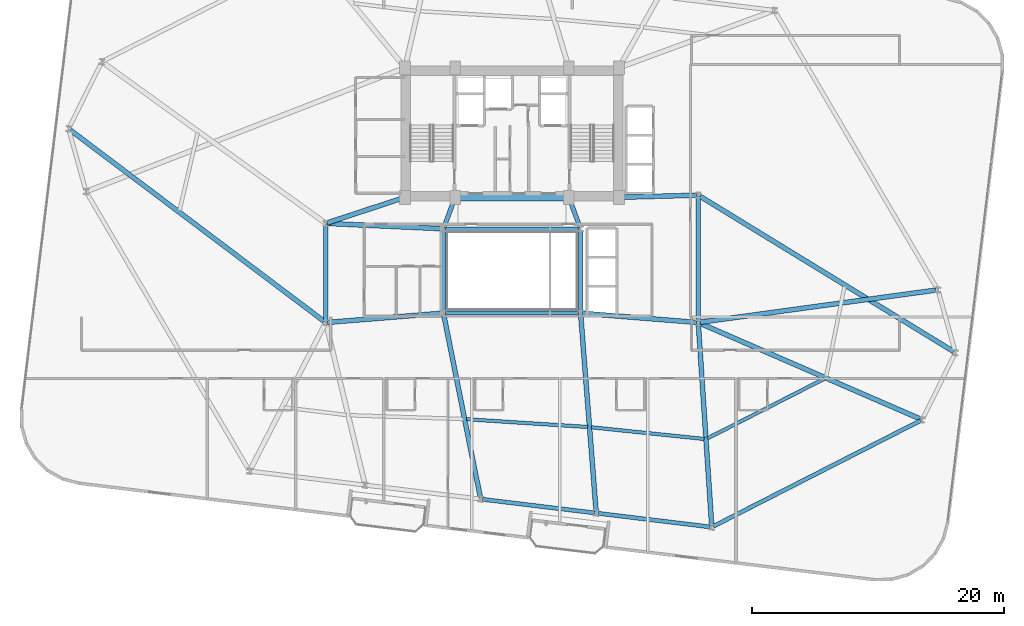
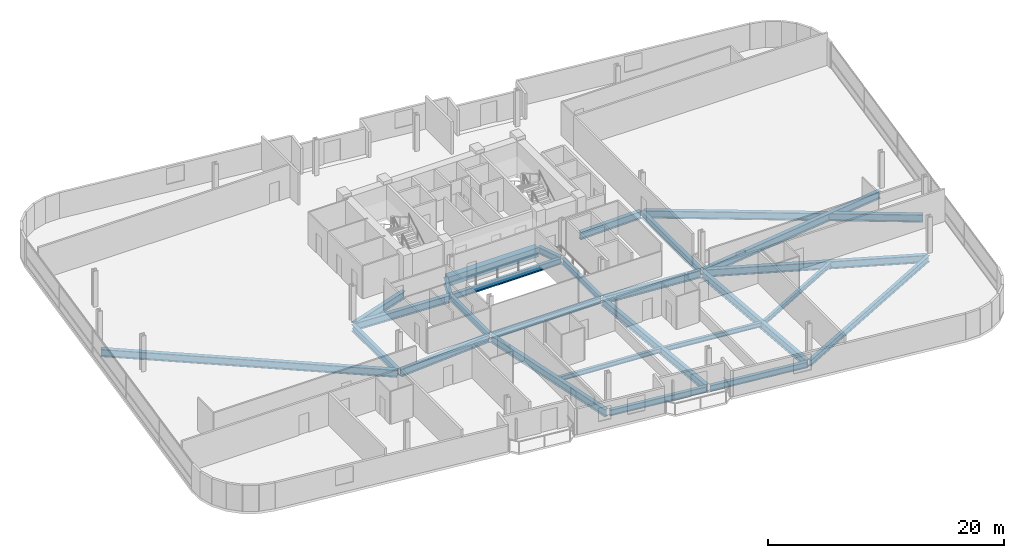
# One storey, part 7 of 26: 27 beams.
"""IFC4 building model written with IfcOpenShell, lengths in metres."""

from ifc_helpers import new_model, si_unit, direction, frame, origin, origin_2d, place, context, subcontext, project, spatial, rectangle, i_section, extrude, material, material_profile, profile_set, type_object, element, save


model = new_model("IFC4")

# Units and contexts
model_context = context("Model", 3, precision=1e-05, world=origin(), true_north=direction((0.0, 1.0)))
body_context = subcontext(model_context, "Body", "Model", "MODEL_VIEW")
ifc_project = project(units=[si_unit("LENGTHUNIT", "METRE"), si_unit("AREAUNIT", "SQUARE_METRE"), si_unit("VOLUMEUNIT", "CUBIC_METRE"), si_unit("PLANEANGLEUNIT", "RADIAN"), si_unit("MASSUNIT", "GRAM", prefix="KILO")], contexts=[model_context])

# Site, building, storey
site_placement = place(None, origin())
site = spatial("IfcSite", under=ifc_project, at=site_placement, CompositionType="ELEMENT")
building_placement = place(site_placement, origin())
building = spatial("IfcBuilding", under=site, at=building_placement, Name="Varnelok Gate Tower", CompositionType="ELEMENT")
storey_placement = place(building_placement, frame((0.0, 0.0, 158.699951171875)))
storey = spatial("IfcBuildingStorey", under=building, at=storey_placement, Name="L40", CompositionType="ELEMENT", Elevation=158.699951171875)

# Beams
ifc_material_1 = material(Name="Structural Steel ASTM A992 Grade 50", Category="steel")
ifc_material_profile_1 = material_profile(ifc_material_1, i_section(OverallWidth=0.280029296875, OverallDepth=0.462890625, WebThickness=0.0107421875, FlangeThickness=0.017333984375, FilletRadius=0.014892578125, at=origin_2d()), Name="W18X76")
ifc_profile_set_1 = profile_set([ifc_material_profile_1], Name="Structural Steel ASTM A992 Grade 50")
beam_type_1 = type_object("IfcBeamType", Name="BM-JST-W18X76", PredefinedType="JOIST", material=ifc_profile_set_1)
beam_1_placement = place(storey_placement, frame((35.57763671875, 11.11669921875, -0.4814453125), z_axis=(0.997960769005, -0.063830271251, 0.0), x_axis=(0.063830271251, 0.997960769005, 0.0)))
element("IfcBeam", 1, at=beam_1_placement, inside=storey, type_object=beam_type_1, Name="L40 Sector Floor Joist 3", PredefinedType="JOIST", context=body_context, shape_type="SweptSolid", body=[
    extrude(i_section(OverallWidth=0.280029296875, OverallDepth=0.462890625, WebThickness=0.0107421875, FlangeThickness=0.017333984375, FilletRadius=0.014892578125, at=origin_2d()), origin(), (0.0, 0.0, 1.0), 9.66162109375),
])
beam_2_placement = place(storey_placement, frame((45.498291015625, 10.4765625, -0.4814453125), z_axis=(0.994695898883, -0.102859461135, 0.0), x_axis=(0.102859461135, 0.994695898883, 0.0)))
element("IfcBeam", 2, at=beam_2_placement, inside=storey, type_object=beam_type_1, Name="L40 Sector Floor Joist 4", PredefinedType="JOIST", context=body_context, shape_type="SweptSolid", body=[
    extrude(i_section(OverallWidth=0.280029296875, OverallDepth=0.462890625, WebThickness=0.0107421875, FlangeThickness=0.017333984375, FilletRadius=0.014892578125, at=origin_2d()), origin(), (0.0, 0.0, 1.0), 9.024169921875),
])
beam_3_placement = place(storey_placement, frame((54.738525390625, 9.59765625, -0.4814453125), z_axis=(0.890722173208, 0.454548138435, 0.0), x_axis=(-0.454548138435, 0.890722173208, 0.0)))
element("IfcBeam", 3, at=beam_3_placement, inside=storey, type_object=beam_type_1, Name="L40 Sector Floor Joist 5", PredefinedType="JOIST", context=body_context, shape_type="SweptSolid", body=[
    extrude(i_section(OverallWidth=0.280029296875, OverallDepth=0.462890625, WebThickness=0.0107421875, FlangeThickness=0.017333984375, FilletRadius=0.014892578125, at=origin_2d()), origin(), (0.0, 0.0, 1.0), 10.417236328125),
])
ifc_material_2 = material(Name="Concrete C60/75", Category="concrete")
ifc_material_profile_2 = material_profile(ifc_material_2, rectangle(XDim=0.60009765625, YDim=0.949951171875, at=origin_2d()), Name="RC950X600")
ifc_profile_set_2 = profile_set([ifc_material_profile_2], Name="Concrete C60/75")
beam_type_2 = type_object("IfcBeamType", Name="BM-LNT-RC950", PredefinedType="LINTEL", material=ifc_profile_set_2)
beam_4_placement = place(storey_placement, frame((34.800048828125, 28.75, -0.724853515625), z_axis=(1.0, 0.0, 0.0), x_axis=(0.0, 1.0, 0.0)))
element("IfcBeam", 4, at=beam_4_placement, inside=storey, type_object=beam_type_2, Name="L40 Core-Atrium Spine Beam 7", PredefinedType="LINTEL", context=body_context, shape_type="SweptSolid", body=[
    extrude(rectangle(XDim=0.60009765625, YDim=0.949951171875, at=origin_2d()), origin(), (0.0, 0.0, 1.0), 8.800048828125),
])
ifc_material_profile_3 = material_profile(ifc_material_1, i_section(OverallWidth=0.35498046875, OverallDepth=0.696044921875, WebThickness=0.015380859375, FlangeThickness=0.02490234375, FilletRadius=0.02001953125, at=origin_2d()), Name="W27X146")
ifc_profile_set_3 = profile_set([ifc_material_profile_3], Name="Structural Steel ASTM A992 Grade 50")
beam_type_3 = type_object("IfcBeamType", Name="BM-PRI-W27X146", PredefinedType="BEAM", material=ifc_profile_set_3)
for number, where, z_axis, x_axis, name in (
    (5, (33.791748046875, 26.362548828125, -0.597900390625), (0.348719329408, 0.937227202602, 0.0), (-0.937227202602, 0.348719329408, 0.0), "L40 Core-Atrium Spine Beam 12"),
    (6, (44.608154296875, 26.362548828125, -0.597900390625), (-0.348719329408, 0.937227202602, 0.0), (-0.937227202602, -0.348719329408, 0.0), "L40 Core-Atrium Spine Beam 13"),
):
    element("IfcBeam", number, at=place(storey_placement, frame(where, z_axis=z_axis, x_axis=x_axis)), inside=storey, type_object=beam_type_3, Name=name, PredefinedType="BEAM", context=body_context, shape_type="SweptSolid", body=[
        extrude(i_section(OverallWidth=0.35498046875, OverallDepth=0.696044921875, WebThickness=0.015380859375, FlangeThickness=0.02490234375, FilletRadius=0.02001953125, at=origin_2d()), origin(), (0.0, 0.0, 1.0), 2.42724609375),
    ])
beam_5_placement = place(storey_placement, frame((24.39990234375, 18.919921875, -0.597900390625), z_axis=(0.0, 1.0, 0.0), x_axis=(-1.0, 0.0, 0.0)))
element("IfcBeam", 7, at=beam_5_placement, inside=storey, type_object=beam_type_3, Name="L40 Core-Atrium Spine Beam 16", PredefinedType="BEAM", context=body_context, shape_type="SweptSolid", body=[
    extrude(i_section(OverallWidth=0.35498046875, OverallDepth=0.696044921875, WebThickness=0.015380859375, FlangeThickness=0.02490234375, FilletRadius=0.02001953125, at=origin_2d()), origin(), (0.0, 0.0, 1.0), 7.64013671875),
])
beam_6_placement = place(storey_placement, frame((54.0, 18.919921875, -0.597900390625), z_axis=(0.0, 1.0, 0.0), x_axis=(-1.0, 0.0, 0.0)))
element("IfcBeam", 8, at=beam_6_placement, inside=storey, type_object=beam_type_3, Name="L40 Core-Atrium Spine Beam 20", PredefinedType="BEAM", context=body_context, shape_type="SweptSolid", body=[
    extrude(i_section(OverallWidth=0.35498046875, OverallDepth=0.696044921875, WebThickness=0.015380859375, FlangeThickness=0.02490234375, FilletRadius=0.02001953125, at=origin_2d()), origin(), (0.0, 0.0, 1.0), 9.880126953125),
])
ifc_material_profile_4 = material_profile(ifc_material_1, i_section(OverallWidth=0.381103515625, OverallDepth=0.77294921875, WebThickness=0.0166015625, FlangeThickness=0.027099609375, FilletRadius=0.02197265625, at=origin_2d()), Name="W30X173")
ifc_profile_set_4 = profile_set([ifc_material_profile_4], Name="Structural Steel ASTM A992 Grade 50")
beam_type_4 = type_object("IfcBeamType", Name="BM-PRI-W30X173", PredefinedType="BEAM", material=ifc_profile_set_4)
beam_7_placement = place(storey_placement, frame((24.51953125, 18.8095703125, -0.636474609375), z_axis=(0.996799206292, 0.07994587128, 0.0), x_axis=(-0.07994587128, 0.996799206292, 0.0)))
element("IfcBeam", 9, at=beam_7_placement, inside=storey, type_object=beam_type_4, Name="L40 Core-Atrium Spine Beam 14", PredefinedType="BEAM", context=body_context, shape_type="SweptSolid", body=[
    extrude(i_section(OverallWidth=0.381103515625, OverallDepth=0.77294921875, WebThickness=0.0166015625, FlangeThickness=0.027099609375, FilletRadius=0.02197265625, at=origin_2d()), origin(), (0.0, 0.0, 1.0), 9.14013671875),
])
beam_8_placement = place(storey_placement, frame((24.52001953125, 26.674560546875, -0.636474609375), z_axis=(0.99894427814, -0.045938319209, 0.0), x_axis=(0.045938319209, 0.99894427814, 0.0)))
element("IfcBeam", 10, at=beam_8_placement, inside=storey, type_object=beam_type_4, Name="L40 Core-Atrium Spine Beam 15", PredefinedType="BEAM", context=body_context, shape_type="SweptSolid", body=[
    extrude(i_section(OverallWidth=0.381103515625, OverallDepth=0.77294921875, WebThickness=0.0166015625, FlangeThickness=0.027099609375, FilletRadius=0.02197265625, at=origin_2d()), origin(), (0.0, 0.0, 1.0), 9.11962890625),
])
beam_9_placement = place(storey_placement, frame((24.513916015625, 26.717529296875, -0.636474609375), z_axis=(0.950041943788, 0.312122259768, 0.0), x_axis=(-0.312122259768, 0.950041943788, 0.0)))
element("IfcBeam", 11, at=beam_9_placement, inside=storey, type_object=beam_type_4, Name="L40 Core-Atrium Spine Beam 17", PredefinedType="BEAM", context=body_context, shape_type="SweptSolid", body=[
    extrude(i_section(OverallWidth=0.381103515625, OverallDepth=0.77294921875, WebThickness=0.0166015625, FlangeThickness=0.027099609375, FilletRadius=0.02197265625, at=origin_2d()), origin(), (0.0, 0.0, 1.0), 6.391357421875),
])
beam_10_placement = place(storey_placement, frame((44.76953125, 19.540283203125, -0.636474609375), z_axis=(0.996799206292, -0.07994587128, 0.0), x_axis=(0.07994587128, 0.996799206292, 0.0)))
element("IfcBeam", 12, at=beam_10_placement, inside=storey, type_object=beam_type_4, Name="L40 Core-Atrium Spine Beam 18", PredefinedType="BEAM", context=body_context, shape_type="SweptSolid", body=[
    extrude(i_section(OverallWidth=0.381103515625, OverallDepth=0.77294921875, WebThickness=0.0166015625, FlangeThickness=0.027099609375, FilletRadius=0.02197265625, at=origin_2d()), origin(), (0.0, 0.0, 1.0), 9.14013671875),
])
beam_11_placement = place(storey_placement, frame((47.820068359375, 28.753173828125, -0.636474609375), z_axis=(0.999635880609, 0.026983443053, 0.0), x_axis=(-0.026983443053, 0.999635880609, 0.0)))
element("IfcBeam", 13, at=beam_11_placement, inside=storey, type_object=beam_type_4, Name="L40 Core-Atrium Spine Beam 19", PredefinedType="BEAM", context=body_context, shape_type="SweptSolid", body=[
    extrude(i_section(OverallWidth=0.381103515625, OverallDepth=0.77294921875, WebThickness=0.0166015625, FlangeThickness=0.027099609375, FilletRadius=0.02197265625, at=origin_2d()), origin(), (0.0, 0.0, 1.0), 6.06201171875),
])
beam_12_placement = place(storey_placement, frame((33.779541015625, 19.40283203125, -0.636474609375), z_axis=(0.1964593524, -0.980511969766, 0.0), x_axis=(0.980511969766, 0.1964593524, 0.0)))
element("IfcBeam", 14, at=beam_12_placement, inside=storey, type_object=beam_type_4, Name="L40 Radial Floor Girder 3", PredefinedType="BEAM", context=body_context, shape_type="SweptSolid", body=[
    extrude(i_section(OverallWidth=0.381103515625, OverallDepth=0.77294921875, WebThickness=0.0166015625, FlangeThickness=0.027099609375, FilletRadius=0.02197265625, at=origin_2d()), origin(), (0.0, 0.0, 1.0), 14.773193359375),
])
beam_13_placement = place(storey_placement, frame((44.66162109375, 19.400390625, -0.636474609375), z_axis=(0.078042805068, -0.996950009066, 0.0), x_axis=(0.996950009066, 0.078042805068, 0.0)))
element("IfcBeam", 15, at=beam_13_placement, inside=storey, type_object=beam_type_4, Name="L40 Radial Floor Girder 4", PredefinedType="BEAM", context=body_context, shape_type="SweptSolid", body=[
    extrude(i_section(OverallWidth=0.381103515625, OverallDepth=0.77294921875, WebThickness=0.0166015625, FlangeThickness=0.027099609375, FilletRadius=0.02197265625, at=origin_2d()), origin(), (0.0, 0.0, 1.0), 15.641357421875),
])
beam_14_placement = place(storey_placement, frame((54.010009765625, 18.650390625, -0.636474609375), z_axis=(0.066089376194, -0.997813707239, 0.0), x_axis=(0.997813707239, 0.066089376194, 0.0)))
element("IfcBeam", 16, at=beam_14_placement, inside=storey, type_object=beam_type_4, Name="L40 Radial Floor Girder 5", PredefinedType="BEAM", context=body_context, shape_type="SweptSolid", body=[
    extrude(i_section(OverallWidth=0.381103515625, OverallDepth=0.77294921875, WebThickness=0.0166015625, FlangeThickness=0.027099609375, FilletRadius=0.02197265625, at=origin_2d()), origin(), (0.0, 0.0, 1.0), 15.99169921875),
])
beam_15_placement = place(storey_placement, frame((54.1376953125, 18.740234375, -0.636474609375), z_axis=(0.917259371715, -0.398290402848, 0.0), x_axis=(0.398290402848, 0.917259371715, 0.0)))
element("IfcBeam", 17, at=beam_15_placement, inside=storey, type_object=beam_type_4, Name="L40 Radial Floor Girder 6", PredefinedType="BEAM", context=body_context, shape_type="SweptSolid", body=[
    extrude(i_section(OverallWidth=0.381103515625, OverallDepth=0.77294921875, WebThickness=0.0166015625, FlangeThickness=0.027099609375, FilletRadius=0.02197265625, at=origin_2d()), origin(), (0.0, 0.0, 1.0), 19.09765625),
])
beam_16_placement = place(storey_placement, frame((54.1279296875, 28.841796875, -0.636474609375), z_axis=(0.852781066678, -0.522268563399, 0.0), x_axis=(0.522268563399, 0.852781066678, 0.0)))
element("IfcBeam", 18, at=beam_16_placement, inside=storey, type_object=beam_type_4, Name="L40 Radial Floor Girder 7", PredefinedType="BEAM", context=body_context, shape_type="SweptSolid", body=[
    extrude(i_section(OverallWidth=0.381103515625, OverallDepth=0.77294921875, WebThickness=0.0166015625, FlangeThickness=0.027099609375, FilletRadius=0.02197265625, at=origin_2d()), origin(), (0.0, 0.0, 1.0), 23.663330078125),
])
beam_17_placement = place(storey_placement, frame((54.148681640625, 18.8203125, -0.636474609375), z_axis=(0.990818465143, 0.135198998265, 0.0), x_axis=(-0.135198998265, 0.990818465143, 0.0)))
element("IfcBeam", 19, at=beam_17_placement, inside=storey, type_object=beam_type_4, Name="L40 Radial Floor Girder 8", PredefinedType="BEAM", context=body_context, shape_type="SweptSolid", body=[
    extrude(i_section(OverallWidth=0.381103515625, OverallDepth=0.77294921875, WebThickness=0.0166015625, FlangeThickness=0.027099609375, FilletRadius=0.02197265625, at=origin_2d()), origin(), (0.0, 0.0, 1.0), 18.921142578125),
])
beam_18_placement = place(storey_placement, frame((24.2802734375, 18.890380859375, -0.636474609375), z_axis=(-0.798720202065, 0.601702616591, 0.0), x_axis=(-0.601702616591, -0.798720202065, 0.0)))
element("IfcBeam", 20, at=beam_18_placement, inside=storey, type_object=beam_type_4, Name="L40 Radial Floor Girder 15", PredefinedType="BEAM", context=body_context, shape_type="SweptSolid", body=[
    extrude(i_section(OverallWidth=0.381103515625, OverallDepth=0.77294921875, WebThickness=0.0166015625, FlangeThickness=0.027099609375, FilletRadius=0.02197265625, at=origin_2d()), origin(), (0.0, 0.0, 1.0), 25.285400390625),
])
ifc_material_profile_5 = material_profile(ifc_material_1, i_section(OverallWidth=0.323974609375, OverallDepth=0.611083984375, WebThickness=0.0126953125, FlangeThickness=0.01904296875, FilletRadius=0.01806640625, at=origin_2d()), Name="W24X104")
ifc_profile_set_5 = profile_set([ifc_material_profile_5], Name="Structural Steel ASTM A992 Grade 50")
beam_type_5 = type_object("IfcBeamType", Name="BM-SPN-W24X104", PredefinedType="SPANDREL", material=ifc_profile_set_5)
for number, where, z_axis, x_axis, name in (
    (21, (33.8701171875, 19.550048828125, -0.555419921875), (1.0, 0.0, 0.0), (0.0, 1.0, 0.0), "L40 Core-Atrium Spine Beam 8"),
    (22, (33.8701171875, 26.25, -0.555419921875), (1.0, 0.0, 0.0), (0.0, 1.0, 0.0), "L40 Core-Atrium Spine Beam 9"),
):
    element("IfcBeam", number, at=place(storey_placement, frame(where, z_axis=z_axis, x_axis=x_axis)), inside=storey, type_object=beam_type_5, Name=name, PredefinedType="SPANDREL", context=body_context, shape_type="SweptSolid", body=[
        extrude(i_section(OverallWidth=0.323974609375, OverallDepth=0.611083984375, WebThickness=0.0126953125, FlangeThickness=0.01904296875, FilletRadius=0.01806640625, at=origin_2d()), origin(), (0.0, 0.0, 1.0), 10.659912109375),
    ])
for number, where, z_axis, x_axis, name in (
    (23, (33.75, 19.669921875, -0.555419921875), (0.0, 1.0, 0.0), (-1.0, 0.0, 0.0), "L40 Core-Atrium Spine Beam 10"),
    (24, (44.64990234375, 19.669921875, -0.555419921875), (0.0, 1.0, 0.0), (-1.0, 0.0, 0.0), "L40 Core-Atrium Spine Beam 11"),
):
    element("IfcBeam", number, at=place(storey_placement, frame(where, z_axis=z_axis, x_axis=x_axis)), inside=storey, type_object=beam_type_5, Name=name, PredefinedType="SPANDREL", context=body_context, shape_type="SweptSolid", body=[
        extrude(i_section(OverallWidth=0.323974609375, OverallDepth=0.611083984375, WebThickness=0.0126953125, FlangeThickness=0.01904296875, FilletRadius=0.01806640625, at=origin_2d()), origin(), (0.0, 0.0, 1.0), 6.4599609375),
    ])
for number, where, z_axis, x_axis, name in (
    (25, (36.860107421875, 4.752197265625, -0.555419921875), (0.992734670707, -0.120324035735, 0.0), (0.120324035735, 0.992734670707, 0.0), "L40 Perimeter Spandrel Beam 3"),
    (26, (46.04296875, 3.638916015625, -0.555419921875), (0.992734670707, -0.120324035735, 0.0), (0.120324035735, 0.992734670707, 0.0), "L40 Perimeter Spandrel Beam 4"),
):
    element("IfcBeam", number, at=place(storey_placement, frame(where, z_axis=z_axis, x_axis=x_axis)), inside=storey, type_object=beam_type_5, Name=name, PredefinedType="SPANDREL", context=body_context, shape_type="SweptSolid", body=[
        extrude(i_section(OverallWidth=0.323974609375, OverallDepth=0.611083984375, WebThickness=0.0126953125, FlangeThickness=0.01904296875, FilletRadius=0.01806640625, at=origin_2d()), origin(), (0.0, 0.0, 1.0), 8.949951171875),
    ])
beam_19_placement = place(storey_placement, frame((55.21044921875, 2.612060546875, -0.555419921875), z_axis=(0.890721671543, 0.454549121486, 0.0), x_axis=(-0.454549121486, 0.890721671543, 0.0)))
element("IfcBeam", 27, at=beam_19_placement, inside=storey, type_object=beam_type_5, Name="L40 Perimeter Spandrel Beam 5", PredefinedType="SPANDREL", context=body_context, shape_type="SweptSolid", body=[
    extrude(i_section(OverallWidth=0.323974609375, OverallDepth=0.611083984375, WebThickness=0.0126953125, FlangeThickness=0.01904296875, FilletRadius=0.01806640625, at=origin_2d()), origin(), (0.0, 0.0, 1.0), 18.466796875),
])

save(model, "model.ifc")
